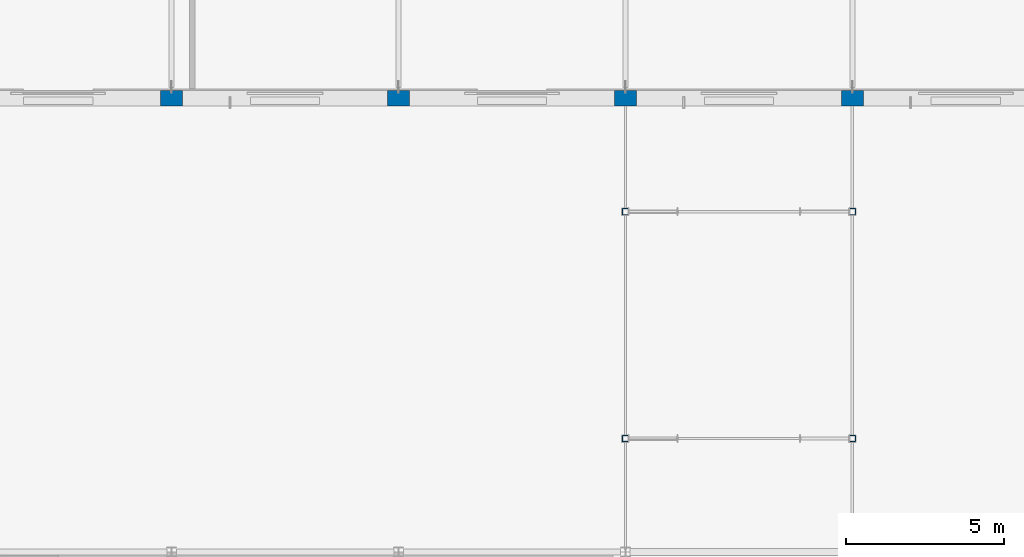
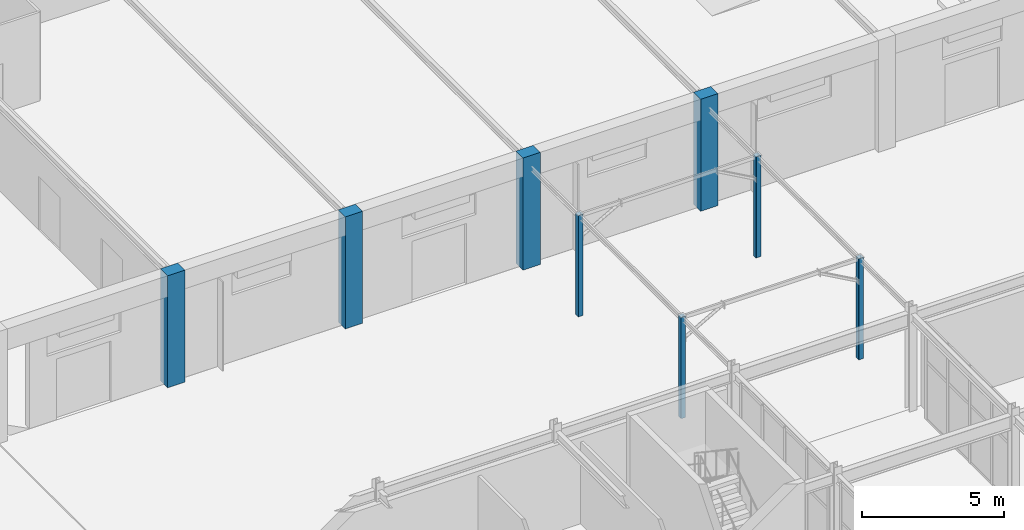
# One storey, part 9 of 85: 8 columns.
"""IFC4 building model written with IfcOpenShell, lengths in metres."""

from ifc_helpers import new_model, si_unit, direction, frame, origin, origin_2d, place, context, subcontext, project, spatial, rectangle, hollow_rectangle, extrude, material, material_profile, profile_set, type_object, element, save


model = new_model("IFC4")

# Units and contexts
model_context = context("Model", 3, precision=1e-05, world=origin(), true_north=direction((0.0, 1.0)))
body_context = subcontext(model_context, "Body", "Model", "MODEL_VIEW")
ifc_project = project(units=[si_unit("LENGTHUNIT", "METRE"), si_unit("AREAUNIT", "SQUARE_METRE"), si_unit("VOLUMEUNIT", "CUBIC_METRE"), si_unit("PLANEANGLEUNIT", "RADIAN"), si_unit("MASSUNIT", "GRAM", prefix="KILO")], contexts=[model_context])

# Site, building, storey
site_placement = place(None, origin())
site = spatial("IfcSite", under=ifc_project, at=site_placement, CompositionType="ELEMENT")
building_placement = place(site_placement, origin())
building = spatial("IfcBuilding", under=site, at=building_placement, Name="Ochrevale Crest", CompositionType="ELEMENT")
storey_placement = place(building_placement, origin())
storey = spatial("IfcBuildingStorey", under=building, at=storey_placement, Name="L00", CompositionType="ELEMENT", Elevation=0.0)

# Columns
ifc_material_1 = material(Name="Precast concrete C50/60", Category="concrete")
ifc_material_profile_1 = material_profile(ifc_material_1, rectangle(XDim=0.5, YDim=0.699951171875, at=origin_2d()), Name="RC 500x700")
ifc_profile_set_1 = profile_set([ifc_material_profile_1], Name="Precast concrete C50/60")
column_type_1 = type_object("IfcColumnType", Name="COL-RC500x700", PredefinedType="COLUMN", material=ifc_profile_set_1)
for number, where, z_axis, x_axis, name in (
    (1, (64.800048828125, 43.199951171875, 0.0), (0.0, 0.0, 1.0), (0.0, 1.0, 0.0), "Community Hall buttress column 2-S"),
    (2, (72.0, 43.199951171875, 0.0), (0.0, 0.0, 1.0), (0.0, 1.0, 0.0), "Community Hall buttress column 3-S"),
    (3, (79.199951171875, 43.199951171875, 0.0), (0.0, 0.0, 1.0), (0.0, 1.0, 0.0), "Community Hall buttress column 4-S"),
    (4, (86.39990234375, 43.199951171875, 0.0), (0.0, 0.0, 1.0), (0.0, 1.0, 0.0), "Community Hall buttress column 5-S"),
):
    element("IfcColumn", number, at=place(storey_placement, frame(where, z_axis=z_axis, x_axis=x_axis)), inside=storey, type_object=column_type_1, Name=name, PredefinedType="COLUMN", context=body_context, shape_type="SweptSolid", body=[
        extrude(rectangle(XDim=0.5, YDim=0.699951171875, at=origin_2d()), origin(), (0.0, 0.0, 1.0), 4.800048828125),
    ])
ifc_material_2 = material(Name="Steel S355", Category="steel")
ifc_material_profile_2 = material_profile(ifc_material_2, hollow_rectangle(XDim=0.199951171875, YDim=0.199951171875, WallThickness=0.008056640625, InnerFilletRadius=0.008056640625, OuterFilletRadius=0.01611328125, at=origin_2d()), Name="200x200x8.0SHS")
ifc_profile_set_2 = profile_set([ifc_material_profile_2], Name="Steel S355")
column_type_2 = type_object("IfcColumnType", Name="COL-SHS200", PredefinedType="COLUMN", material=ifc_profile_set_2)
for number, where, z_axis, x_axis, name in (
    (5, (79.199951171875, 32.39990234375, 0.0), (0.0, 0.0, 1.0), (1.0, 0.0, 0.0), "Covered public passage colonnade post"),
    (6, (86.39990234375, 32.39990234375, 0.0), (0.0, 0.0, 1.0), (1.0, 0.0, 0.0), "Covered public passage colonnade post"),
    (7, (79.199951171875, 39.60009765625, 0.0), (0.0, 0.0, 1.0), (1.0, 0.0, 0.0), "Covered public passage colonnade post"),
    (8, (86.39990234375, 39.60009765625, 0.0), (0.0, 0.0, 1.0), (1.0, 0.0, 0.0), "Covered public passage colonnade post"),
):
    element("IfcColumn", number, at=place(storey_placement, frame(where, z_axis=z_axis, x_axis=x_axis)), inside=storey, type_object=column_type_2, Name=name, PredefinedType="COLUMN", context=body_context, shape_type="SweptSolid", body=[
        extrude(hollow_rectangle(XDim=0.199951171875, YDim=0.199951171875, WallThickness=0.008056640625, InnerFilletRadius=0.008056640625, OuterFilletRadius=0.01611328125, at=origin_2d()), origin(), (0.0, 0.0, 1.0), 4.3349609375),
    ])

save(model, "model.ifc")
